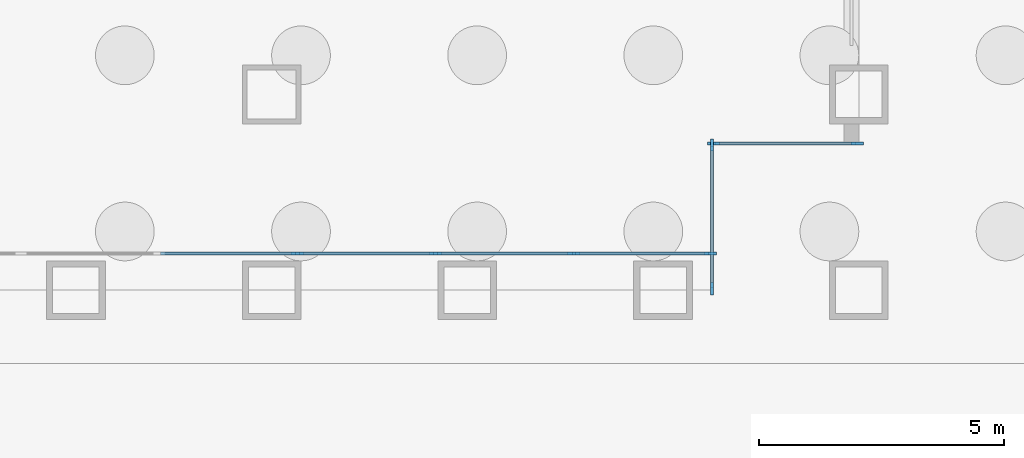
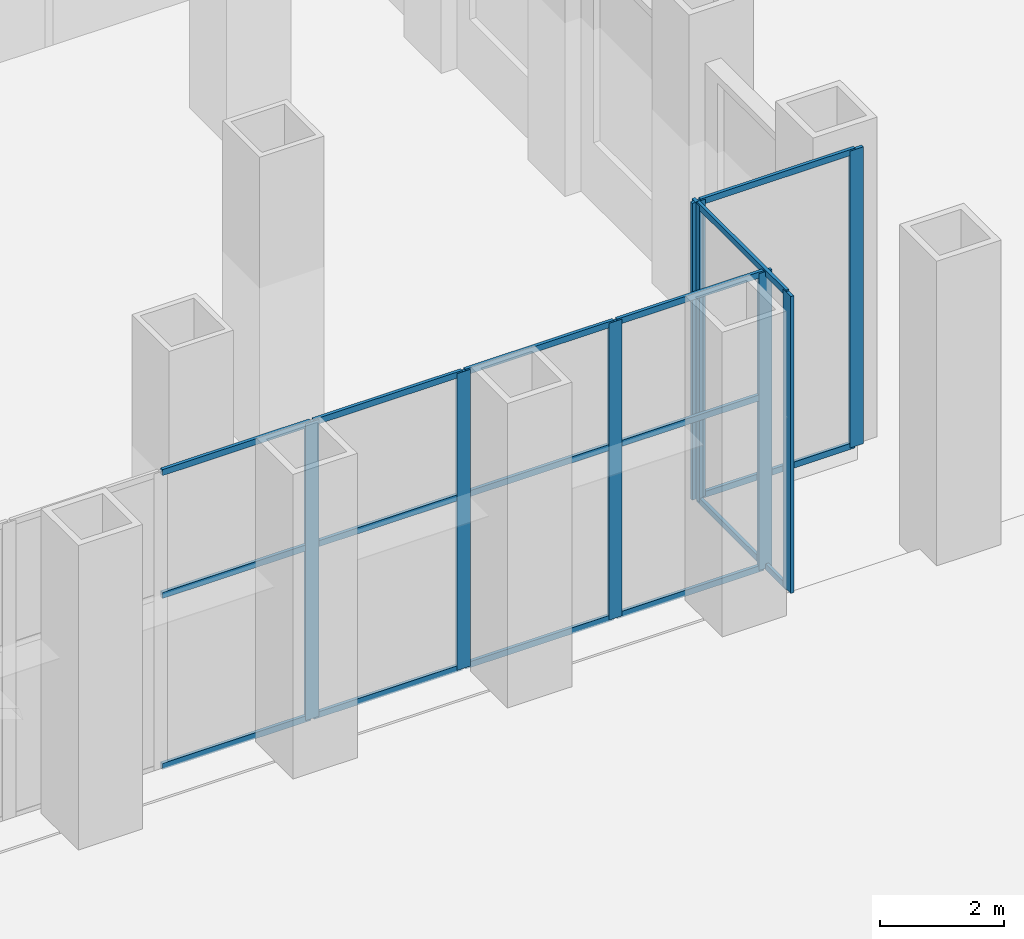
# One storey, part 7 of 17: 24 members, 3 elements without a shape of their own.
"""IFC4 building model written with IfcOpenShell, lengths in metres."""

import ifcopenshell
import ifcopenshell.guid

model = None  # the IFC model being written
_history = None  # IfcOwnerHistory: only IFC2X3 demands one
_inside = {}  # id of a spatial element -> (the spatial element, [elements in it])
_under = {}  # id of a project, library or spatial element -> (it, [spatial elements below it])
_declared = {}  # id of a project -> (the project, [libraries it declares])
_typed = {}  # id of a type object -> (the type object, [elements of that type])
_made_of = {}  # id of a material, layer set ... -> (it, [elements and type objects made of it])


def new_model(schema):
    """Start an empty IFC model of exactly this schema.

    Asked for "IFC4X3", IfcOpenShell would pick the latest addendum, in which some entities
    have other attributes; the version numbers below select the first issue.
    IFC2X3 requires an IfcOwnerHistory on every rooted entity: one is made here for all.
    """
    global model, _history
    if schema == "IFC4X3":
        model = ifcopenshell.file(schema_version=(4, 3, 0, 0))
    else:
        model = ifcopenshell.file(schema=schema)
    _inside.clear()
    _under.clear()
    _declared.clear()
    _typed.clear()
    _made_of.clear()
    _history = None
    if model.schema == "IFC2X3":
        org = make("IfcOrganization", Name="unknown")
        user = make(
            "IfcPersonAndOrganization",
            ThePerson=make("IfcPerson", FamilyName="unknown"),
            TheOrganization=org,
        )
        app = make(
            "IfcApplication",
            ApplicationDeveloper=org,
            Version="unknown",
            ApplicationFullName="unknown",
            ApplicationIdentifier="unknown",
        )
        _history = make(
            "IfcOwnerHistory",
            OwningUser=user,
            OwningApplication=app,
            ChangeAction="ADDED",
            CreationDate=0,
        )
    return model


def make(cls, **values):
    """One entity of the class cls with the attributes given. An attribute that is None is left unset."""
    return model.create_entity(
        cls, **{name: value for name, value in values.items() if value is not None}
    )


def rooted(cls, **values):
    """An entity with a GlobalId (a new one), such as an element, a storey or a relation."""
    return make(cls, GlobalId=ifcopenshell.guid.new(), OwnerHistory=_history, **values)


def si_unit(unit_type, name, prefix=None):
    """IfcSIUnit, for example si_unit("LENGTHUNIT", "METRE", prefix="MILLI")."""
    return make("IfcSIUnit", UnitType=unit_type, Prefix=prefix, Name=name)


def assignment(units):
    """IfcUnitAssignment: the units of a project."""
    return None if units is None else make("IfcUnitAssignment", Units=units)


def point(xyz):
    """IfcCartesianPoint."""
    return None if xyz is None else make("IfcCartesianPoint", Coordinates=xyz)


def direction(xyz):
    """IfcDirection."""
    return None if xyz is None else make("IfcDirection", DirectionRatios=xyz)


def frame(location, z_axis=None, x_axis=None):
    """IfcAxis2Placement3D, a coordinate frame: its origin and axes. An axis left out is left unset."""
    return make(
        "IfcAxis2Placement3D",
        Location=point(location),
        Axis=direction(z_axis),
        RefDirection=direction(x_axis),
    )


def frame_2d(location, x_axis=None):
    """IfcAxis2Placement2D, a coordinate frame in the plane: its origin and x axis."""
    return make(
        "IfcAxis2Placement2D", Location=point(location), RefDirection=direction(x_axis)
    )


def origin():
    """The frame at (0, 0, 0) with its axes left unset."""
    return frame((0.0, 0.0, 0.0))


def origin_2d():
    """The frame at (0, 0) in the plane with its x axis left unset."""
    return frame_2d((0.0, 0.0))


def place(relative_to, where):
    """IfcLocalPlacement: puts the frame where relative to a parent placement (None: the world)."""
    return make(
        "IfcLocalPlacement", PlacementRelTo=relative_to, RelativePlacement=where
    )


def context(
    kind, dimensions, precision=None, world=None, true_north=None, identifier=None
):
    """IfcGeometricRepresentationContext, for example the 3D "Model" context."""
    return make(
        "IfcGeometricRepresentationContext",
        ContextIdentifier=identifier,
        ContextType=kind,
        CoordinateSpaceDimension=dimensions,
        Precision=precision,
        WorldCoordinateSystem=world,
        TrueNorth=true_north,
    )


def subcontext(parent, identifier, kind, view, scale=None):
    """IfcGeometricRepresentationSubContext, for example "Body" below "Model"."""
    return make(
        "IfcGeometricRepresentationSubContext",
        ContextIdentifier=identifier,
        ContextType=kind,
        ParentContext=parent,
        TargetScale=scale,
        TargetView=view,
    )


def project(units=None, contexts=None):
    """IfcProject with its units and contexts."""
    return rooted(
        "IfcProject",
        Name="project",
        RepresentationContexts=contexts,
        UnitsInContext=assignment(units),
    )


def spatial(cls, under=None, at=None, **own):
    """A site, building, storey or space (cls), placed at a placement, below another one or the project."""
    s = rooted(cls, ObjectPlacement=at, **own)
    if under is not None:
        _under.setdefault(under.id(), (under, []))[1].append(s)
    return s


def profile(cls, at=None, kind="AREA", **sizes):
    """A parametric profile (cls). Its sizes go by their IFC names, for example OverallWidth=200.0."""
    return make(cls, ProfileType=kind, Position=at, **sizes)


def rectangle(**sizes):
    """IfcRectangleProfileDef."""
    return profile("IfcRectangleProfileDef", **sizes)


def extrude(swept, where, along, depth):
    """IfcExtrudedAreaSolid: the profile swept, set in the frame where, extruded along a direction by depth."""
    return make(
        "IfcExtrudedAreaSolid",
        SweptArea=swept,
        Position=where,
        ExtrudedDirection=direction(along),
        Depth=depth,
    )


def shape(context_of_items, identifier, shape_type, items):
    """IfcShapeRepresentation: the items that make up one representation, for example the "Body"."""
    return make(
        "IfcShapeRepresentation",
        ContextOfItems=context_of_items,
        RepresentationIdentifier=identifier,
        RepresentationType=shape_type,
        Items=items,
    )


def material(Name=None, Category=None):
    """IfcMaterial."""
    return make("IfcMaterial", Name=Name, Category=Category)


def material_profile(
    of_material, cross_section, Name=None, Category=None, Priority=None
):
    """IfcMaterialProfile: a cross section and its material."""
    return make(
        "IfcMaterialProfile",
        Name=Name,
        Material=of_material,
        Profile=cross_section,
        Priority=Priority,
        Category=Category,
    )


def profile_set(profiles, Name=None, composite=None):
    """IfcMaterialProfileSet."""
    return make(
        "IfcMaterialProfileSet",
        Name=Name,
        MaterialProfiles=profiles,
        CompositeProfile=composite,
    )


def made_of(thing, what):
    """Note that an element or type object is made of a material, layer set ...; save() writes the relation."""
    if what is not None:
        _made_of.setdefault(what.id(), (what, []))[1].append(thing)
    return thing


def type_object(cls, material=None, **own):
    """A type object (cls), such as IfcWallType, which elements share."""
    return made_of(rooted(cls, **own), material)


def element(
    cls,
    number,
    at=None,
    inside=None,
    cuts=None,
    type_object=None,
    material=None,
    context=None,
    identifier="Body",
    shape_type=None,
    held_by="IfcProductDefinitionShape",
    body=None,
    shapes=None,
    **own,
):
    """One element of the class cls, such as IfcWall. Its Tag is "e" and its number.

    at: its placement. inside: the storey or other place that contains it. cuts: it is an
    opening in that element (IfcRelVoidsElement). A single representation is given by context,
    identifier, shape_type and body (its items); several are given by shapes. held_by: the class
    of the entity that holds the representations. save() writes the other relations.
    """
    e = rooted(cls, Tag="e%d" % number, ObjectPlacement=at, **own)
    if body is not None:
        shapes = [shape(context, identifier, shape_type, body)]
    if shapes is not None:
        e.Representation = make(held_by, Representations=shapes)
    if inside is not None:
        _inside.setdefault(inside.id(), (inside, []))[1].append(e)
    if cuts is not None:
        rooted(
            "IfcRelVoidsElement", RelatingBuildingElement=cuts, RelatedOpeningElement=e
        )
    if type_object is not None:
        _typed.setdefault(type_object.id(), (type_object, []))[1].append(e)
    return made_of(e, material)


def aggregate(whole, parts):
    """IfcRelAggregates: a whole, such as a stair, and the parts it consists of."""
    return rooted("IfcRelAggregates", RelatingObject=whole, RelatedObjects=parts)


def save(model, path):
    """Write the relations noted so far, then the file.

    IfcRelAggregates (storeys below a building ...), IfcRelContainedInSpatialStructure (elements
    in a storey), IfcRelDefinesByType, IfcRelAssociatesMaterial and IfcRelDeclares: one each for
    every whole, place, type object, material and project.
    """
    for whole, parts in _under.values():
        aggregate(whole, parts)
    for where, things in _inside.values():
        rooted(
            "IfcRelContainedInSpatialStructure",
            RelatedElements=things,
            RelatingStructure=where,
        )
    for kind, things in _typed.values():
        rooted("IfcRelDefinesByType", RelatedObjects=things, RelatingType=kind)
    for what, things in _made_of.values():
        rooted("IfcRelAssociatesMaterial", RelatedObjects=things, RelatingMaterial=what)
    for by, libraries in _declared.values():
        rooted("IfcRelDeclares", RelatingContext=by, RelatedDefinitions=libraries)
    model.write(path)


model = new_model("IFC4")

# Units and contexts
model_context = context("Model", 3, precision=1e-05, world=origin(), true_north=direction((0.0, 1.0)))
body_context = subcontext(model_context, "Body", "Model", "MODEL_VIEW")
ifc_project = project(units=[si_unit("LENGTHUNIT", "METRE"), si_unit("AREAUNIT", "SQUARE_METRE"), si_unit("VOLUMEUNIT", "CUBIC_METRE"), si_unit("PLANEANGLEUNIT", "RADIAN"), si_unit("MASSUNIT", "GRAM", prefix="KILO")], contexts=[model_context])

# Site, building, storey
site_placement = place(None, origin())
site = spatial("IfcSite", under=ifc_project, at=site_placement, CompositionType="ELEMENT")
building_placement = place(site_placement, origin())
building = spatial("IfcBuilding", under=site, at=building_placement, Name="Rimbunsela Tower", CompositionType="ELEMENT")
storey_placement = place(building_placement, origin())
storey = spatial("IfcBuildingStorey", under=building, at=storey_placement, Name="L00", CompositionType="ELEMENT", Elevation=0.0)

# Curtain wall, members
ifc_material_1 = material(Name="Aluminium curtain wall", Category="aluminium")
curtain_wall_type_1 = type_object("IfcCurtainWallType", Name="Podium glazing", PredefinedType="USERDEFINED", material=ifc_material_1)
curtain_wall_1_placement = place(storey_placement, origin())
curtain_wall_1 = element("IfcCurtainWall", 1, at=curtain_wall_1_placement, inside=storey, type_object=curtain_wall_type_1, Name="Podium glazing L00", ObjectType="PODIUM GLAZING", PredefinedType="USERDEFINED")
ifc_material_2 = material(Name="Aluminium mullion", Category="aluminium")
ifc_material_profile_1 = material_profile(ifc_material_2, rectangle(XDim=0.06005859375, YDim=0.25, at=origin_2d()), Name="Mullion 60x250")
ifc_profile_set_1 = profile_set([ifc_material_profile_1], Name="Aluminium mullion")
member_type_1 = type_object("IfcMemberType", Name="Curtain wall mullion 60x250", PredefinedType="MULLION", material=ifc_profile_set_1)
member_1_placement = place(storey_placement, frame((38.52490234375, -3.25, 0.0), z_axis=(0.0, 0.0, 1.0), x_axis=(0.0, 1.0, 0.0)))
member_1 = element("IfcMember", 2, at=member_1_placement, type_object=member_type_1, Name="CW1 mullion 4", PredefinedType="MULLION", context=body_context, shape_type="SweptSolid", body=[
    extrude(rectangle(XDim=0.06005859375, YDim=0.25, at=origin_2d()), origin(), (0.0, 0.0, 1.0), 5.85009765625),
])
member_2_placement = place(storey_placement, frame((41.35009765625, -3.25, 0.0), z_axis=(0.0, 0.0, 1.0), x_axis=(0.0, 1.0, 0.0)))
member_2 = element("IfcMember", 3, at=member_2_placement, type_object=member_type_1, Name="CW1 mullion 5", PredefinedType="MULLION", context=body_context, shape_type="SweptSolid", body=[
    extrude(rectangle(XDim=0.06005859375, YDim=0.25, at=origin_2d()), origin(), (0.0, 0.0, 1.0), 5.85009765625),
])
member_3_placement = place(storey_placement, frame((44.175048828125, -3.25, 0.0), z_axis=(0.0, 0.0, 1.0), x_axis=(0.0, 1.0, 0.0)))
member_3 = element("IfcMember", 4, at=member_3_placement, type_object=member_type_1, Name="CW1 mullion 6", PredefinedType="MULLION", context=body_context, shape_type="SweptSolid", body=[
    extrude(rectangle(XDim=0.06005859375, YDim=0.25, at=origin_2d()), origin(), (0.0, 0.0, 1.0), 5.85009765625),
])
member_4_placement = place(storey_placement, frame((46.969970703125, -3.25, 0.0), z_axis=(0.0, 0.0, 1.0), x_axis=(0.0, 1.0, 0.0)))
member_4 = element("IfcMember", 5, at=member_4_placement, type_object=member_type_1, Name="CW1 mullion 7", PredefinedType="MULLION", context=body_context, shape_type="SweptSolid", body=[
    extrude(rectangle(XDim=0.06005859375, YDim=0.25, at=origin_2d()), origin(), (0.0, 0.0, 1.0), 5.85009765625),
])

ifc_material_3 = material(Name="Aluminium curtain wall", Category="aluminium")
curtain_wall_type_2 = type_object("IfcCurtainWallType", Name="Corner glazing", PredefinedType="USERDEFINED", material=ifc_material_3)
curtain_wall_2_placement = place(storey_placement, origin())
curtain_wall_2 = element("IfcCurtainWall", 6, at=curtain_wall_2_placement, inside=storey, type_object=curtain_wall_type_2, Name="Corner glazing L00", ObjectType="CORNER GLAZING", PredefinedType="USERDEFINED")
member_5_placement = place(storey_placement, frame((47.0, -3.969970703125, 0.0), z_axis=(0.0, 0.0, 1.0), x_axis=(-1.0, 0.0, 0.0)))
member_5 = element("IfcMember", 7, at=member_5_placement, type_object=member_type_1, Name="CW5 mullion 1", PredefinedType="MULLION", context=body_context, shape_type="SweptSolid", body=[
    extrude(rectangle(XDim=0.06005859375, YDim=0.25, at=origin_2d()), origin(), (0.0, 0.0, 1.0), 5.85009765625),
])
member_6_placement = place(storey_placement, frame((47.0, -1.030029296875, 0.0), z_axis=(0.0, 0.0, 1.0), x_axis=(-1.0, 0.0, 0.0)))
member_6 = element("IfcMember", 8, at=member_6_placement, type_object=member_type_1, Name="CW5 mullion 2", PredefinedType="MULLION", context=body_context, shape_type="SweptSolid", body=[
    extrude(rectangle(XDim=0.06005859375, YDim=0.25, at=origin_2d()), origin(), (0.0, 0.0, 1.0), 5.85009765625),
])

curtain_wall_3_placement = place(storey_placement, origin())
curtain_wall_3 = element("IfcCurtainWall", 9, at=curtain_wall_3_placement, inside=storey, type_object=curtain_wall_type_2, Name="Corner glazing L00", ObjectType="CORNER GLAZING", PredefinedType="USERDEFINED")
member_7_placement = place(storey_placement, frame((47.030029296875, -1.0, 0.0), z_axis=(0.0, 0.0, 1.0), x_axis=(0.0, 1.0, 0.0)))
member_7 = element("IfcMember", 10, at=member_7_placement, type_object=member_type_1, Name="CW5 mullion 1", PredefinedType="MULLION", context=body_context, shape_type="SweptSolid", body=[
    extrude(rectangle(XDim=0.06005859375, YDim=0.25, at=origin_2d()), origin(), (0.0, 0.0, 1.0), 5.85009765625),
])
member_8_placement = place(storey_placement, frame((49.969970703125, -1.0, 0.0), z_axis=(0.0, 0.0, 1.0), x_axis=(0.0, 1.0, 0.0)))
member_8 = element("IfcMember", 11, at=member_8_placement, type_object=member_type_1, Name="CW5 mullion 2", PredefinedType="MULLION", context=body_context, shape_type="SweptSolid", body=[
    extrude(rectangle(XDim=0.06005859375, YDim=0.25, at=origin_2d()), origin(), (0.0, 0.0, 1.0), 5.85009765625),
])

# Member
ifc_material_4 = material(Name="Aluminium transom", Category="aluminium")
ifc_material_profile_2 = material_profile(ifc_material_4, rectangle(XDim=0.06005859375, YDim=0.1201171875, at=origin_2d()), Name="Transom 60x120")
ifc_profile_set_2 = profile_set([ifc_material_profile_2], Name="Aluminium transom")
member_type_2 = type_object("IfcMemberType", Name="Curtain wall transom 60x120", PredefinedType="USERDEFINED", material=ifc_profile_set_2)
member_9_placement = place(storey_placement, frame((35.72998046875, -3.25, 0.030029296875), z_axis=(1.0, 0.0, 0.0), x_axis=(0.0, 1.0, 0.0)))
member_9 = element("IfcMember", 12, at=member_9_placement, type_object=member_type_2, Name="CW1 transom 3.1", ObjectType="TRANSOM", PredefinedType="USERDEFINED", context=body_context, shape_type="SweptSolid", body=[
    extrude(rectangle(XDim=0.06005859375, YDim=0.1201171875, at=origin_2d()), origin(), (0.0, 0.0, 1.0), 2.76513671875),
])

member_10_placement = place(storey_placement, frame((35.72998046875, -3.25, 3.39990234375), z_axis=(1.0, 0.0, 0.0), x_axis=(0.0, 1.0, 0.0)))
member_10 = element("IfcMember", 13, at=member_10_placement, type_object=member_type_2, Name="CW1 transom 3.2", ObjectType="TRANSOM", PredefinedType="USERDEFINED", context=body_context, shape_type="SweptSolid", body=[
    extrude(rectangle(XDim=0.06005859375, YDim=0.1201171875, at=origin_2d()), origin(), (0.0, 0.0, 1.0), 2.76513671875),
])

member_11_placement = place(storey_placement, frame((35.72998046875, -3.25, 5.820068359375), z_axis=(1.0, 0.0, 0.0), x_axis=(0.0, 1.0, 0.0)))
member_11 = element("IfcMember", 14, at=member_11_placement, type_object=member_type_2, Name="CW1 transom 3.3", ObjectType="TRANSOM", PredefinedType="USERDEFINED", context=body_context, shape_type="SweptSolid", body=[
    extrude(rectangle(XDim=0.06005859375, YDim=0.1201171875, at=origin_2d()), origin(), (0.0, 0.0, 1.0), 2.76513671875),
])

member_12_placement = place(storey_placement, frame((38.554931640625, -3.25, 0.030029296875), z_axis=(1.0, 0.0, 0.0), x_axis=(0.0, 1.0, 0.0)))
member_12 = element("IfcMember", 15, at=member_12_placement, type_object=member_type_2, Name="CW1 transom 4.1", ObjectType="TRANSOM", PredefinedType="USERDEFINED", context=body_context, shape_type="SweptSolid", body=[
    extrude(rectangle(XDim=0.06005859375, YDim=0.1201171875, at=origin_2d()), origin(), (0.0, 0.0, 1.0), 2.76513671875),
])

member_13_placement = place(storey_placement, frame((38.554931640625, -3.25, 3.39990234375), z_axis=(1.0, 0.0, 0.0), x_axis=(0.0, 1.0, 0.0)))
member_13 = element("IfcMember", 16, at=member_13_placement, type_object=member_type_2, Name="CW1 transom 4.2", ObjectType="TRANSOM", PredefinedType="USERDEFINED", context=body_context, shape_type="SweptSolid", body=[
    extrude(rectangle(XDim=0.06005859375, YDim=0.1201171875, at=origin_2d()), origin(), (0.0, 0.0, 1.0), 2.76513671875),
])

member_14_placement = place(storey_placement, frame((38.554931640625, -3.25, 5.820068359375), z_axis=(1.0, 0.0, 0.0), x_axis=(0.0, 1.0, 0.0)))
member_14 = element("IfcMember", 17, at=member_14_placement, type_object=member_type_2, Name="CW1 transom 4.3", ObjectType="TRANSOM", PredefinedType="USERDEFINED", context=body_context, shape_type="SweptSolid", body=[
    extrude(rectangle(XDim=0.06005859375, YDim=0.1201171875, at=origin_2d()), origin(), (0.0, 0.0, 1.0), 2.76513671875),
])

member_15_placement = place(storey_placement, frame((41.3798828125, -3.25, 0.030029296875), z_axis=(1.0, 0.0, 0.0), x_axis=(0.0, 1.0, 0.0)))
member_15 = element("IfcMember", 18, at=member_15_placement, type_object=member_type_2, Name="CW1 transom 5.1", ObjectType="TRANSOM", PredefinedType="USERDEFINED", context=body_context, shape_type="SweptSolid", body=[
    extrude(rectangle(XDim=0.06005859375, YDim=0.1201171875, at=origin_2d()), origin(), (0.0, 0.0, 1.0), 2.76513671875),
])

member_16_placement = place(storey_placement, frame((41.3798828125, -3.25, 3.39990234375), z_axis=(1.0, 0.0, 0.0), x_axis=(0.0, 1.0, 0.0)))
member_16 = element("IfcMember", 19, at=member_16_placement, type_object=member_type_2, Name="CW1 transom 5.2", ObjectType="TRANSOM", PredefinedType="USERDEFINED", context=body_context, shape_type="SweptSolid", body=[
    extrude(rectangle(XDim=0.06005859375, YDim=0.1201171875, at=origin_2d()), origin(), (0.0, 0.0, 1.0), 2.76513671875),
])

member_17_placement = place(storey_placement, frame((41.3798828125, -3.25, 5.820068359375), z_axis=(1.0, 0.0, 0.0), x_axis=(0.0, 1.0, 0.0)))
member_17 = element("IfcMember", 20, at=member_17_placement, type_object=member_type_2, Name="CW1 transom 5.3", ObjectType="TRANSOM", PredefinedType="USERDEFINED", context=body_context, shape_type="SweptSolid", body=[
    extrude(rectangle(XDim=0.06005859375, YDim=0.1201171875, at=origin_2d()), origin(), (0.0, 0.0, 1.0), 2.76513671875),
])

member_18_placement = place(storey_placement, frame((44.205078125, -3.25, 0.030029296875), z_axis=(1.0, 0.0, 0.0), x_axis=(0.0, 1.0, 0.0)))
member_18 = element("IfcMember", 21, at=member_18_placement, type_object=member_type_2, Name="CW1 transom 6.1", ObjectType="TRANSOM", PredefinedType="USERDEFINED", context=body_context, shape_type="SweptSolid", body=[
    extrude(rectangle(XDim=0.06005859375, YDim=0.1201171875, at=origin_2d()), origin(), (0.0, 0.0, 1.0), 2.73486328125),
])

member_19_placement = place(storey_placement, frame((44.205078125, -3.25, 3.39990234375), z_axis=(1.0, 0.0, 0.0), x_axis=(0.0, 1.0, 0.0)))
member_19 = element("IfcMember", 22, at=member_19_placement, type_object=member_type_2, Name="CW1 transom 6.2", ObjectType="TRANSOM", PredefinedType="USERDEFINED", context=body_context, shape_type="SweptSolid", body=[
    extrude(rectangle(XDim=0.06005859375, YDim=0.1201171875, at=origin_2d()), origin(), (0.0, 0.0, 1.0), 2.73486328125),
])

member_20_placement = place(storey_placement, frame((44.205078125, -3.25, 5.820068359375), z_axis=(1.0, 0.0, 0.0), x_axis=(0.0, 1.0, 0.0)))
member_20 = element("IfcMember", 23, at=member_20_placement, type_object=member_type_2, Name="CW1 transom 6.3", ObjectType="TRANSOM", PredefinedType="USERDEFINED", context=body_context, shape_type="SweptSolid", body=[
    extrude(rectangle(XDim=0.06005859375, YDim=0.1201171875, at=origin_2d()), origin(), (0.0, 0.0, 1.0), 2.73486328125),
])

aggregate(curtain_wall_1, [member_1, member_2, member_3, member_4, member_9, member_10, member_11, member_12, member_13, member_14, member_15, member_16, member_17, member_18, member_19, member_20])

member_21_placement = place(storey_placement, frame((47.0, -3.93994140625, 0.030029296875), z_axis=(0.0, 1.0, 0.0), x_axis=(-1.0, 0.0, 0.0)))
member_21 = element("IfcMember", 24, at=member_21_placement, type_object=member_type_2, Name="CW5 transom 1.1", ObjectType="TRANSOM", PredefinedType="USERDEFINED", context=body_context, shape_type="SweptSolid", body=[
    extrude(rectangle(XDim=0.06005859375, YDim=0.1201171875, at=origin_2d()), origin(), (0.0, 0.0, 1.0), 2.8798828125),
])

member_22_placement = place(storey_placement, frame((47.0, -3.93994140625, 5.820068359375), z_axis=(0.0, 1.0, 0.0), x_axis=(-1.0, 0.0, 0.0)))
member_22 = element("IfcMember", 25, at=member_22_placement, type_object=member_type_2, Name="CW5 transom 1.2", ObjectType="TRANSOM", PredefinedType="USERDEFINED", context=body_context, shape_type="SweptSolid", body=[
    extrude(rectangle(XDim=0.06005859375, YDim=0.1201171875, at=origin_2d()), origin(), (0.0, 0.0, 1.0), 2.8798828125),
])

aggregate(curtain_wall_2, [member_5, member_6, member_21, member_22])

member_23_placement = place(storey_placement, frame((47.06005859375, -1.0, 0.030029296875), z_axis=(1.0, 0.0, 0.0), x_axis=(0.0, 1.0, 0.0)))
member_23 = element("IfcMember", 26, at=member_23_placement, type_object=member_type_2, Name="CW5 transom 1.1", ObjectType="TRANSOM", PredefinedType="USERDEFINED", context=body_context, shape_type="SweptSolid", body=[
    extrude(rectangle(XDim=0.06005859375, YDim=0.1201171875, at=origin_2d()), origin(), (0.0, 0.0, 1.0), 2.8798828125),
])

member_24_placement = place(storey_placement, frame((47.06005859375, -1.0, 5.820068359375), z_axis=(1.0, 0.0, 0.0), x_axis=(0.0, 1.0, 0.0)))
member_24 = element("IfcMember", 27, at=member_24_placement, type_object=member_type_2, Name="CW5 transom 1.2", ObjectType="TRANSOM", PredefinedType="USERDEFINED", context=body_context, shape_type="SweptSolid", body=[
    extrude(rectangle(XDim=0.06005859375, YDim=0.1201171875, at=origin_2d()), origin(), (0.0, 0.0, 1.0), 2.8798828125),
])

aggregate(curtain_wall_3, [member_7, member_8, member_23, member_24])

save(model, "model.ifc")
